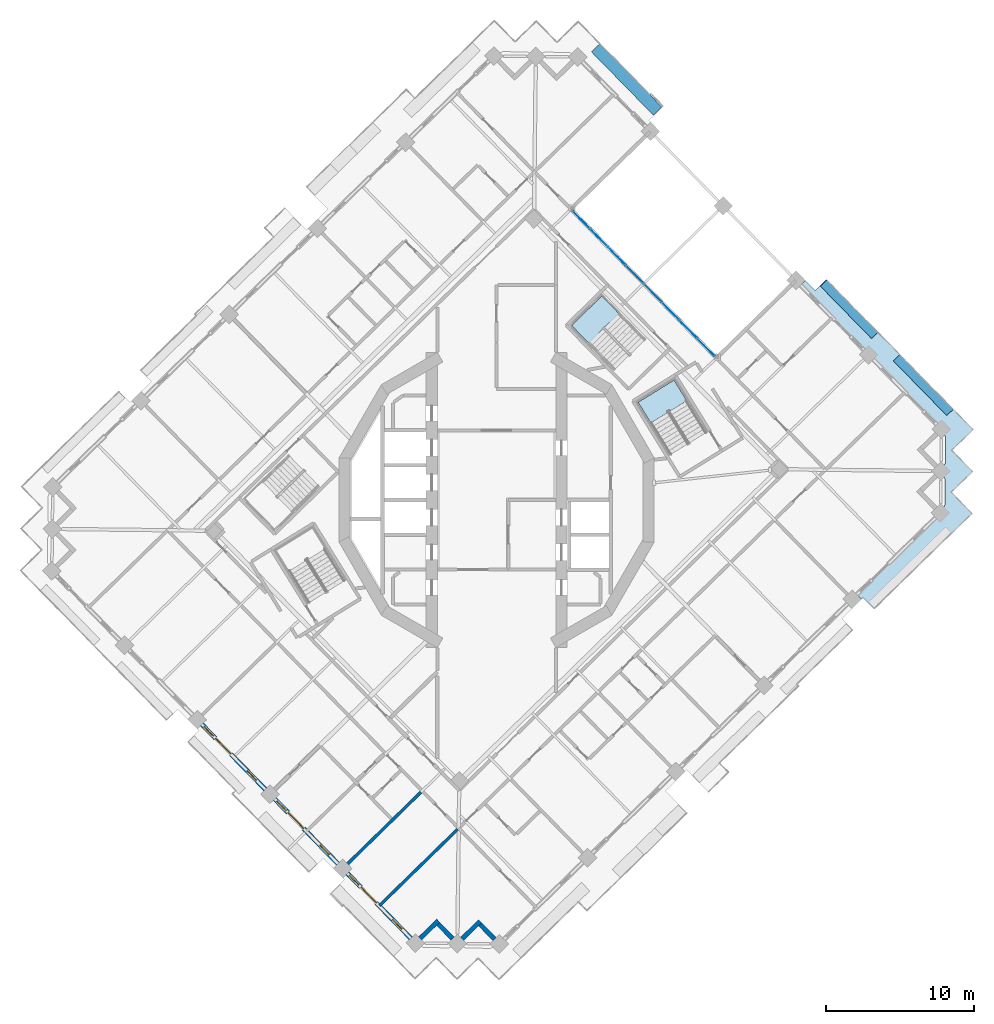
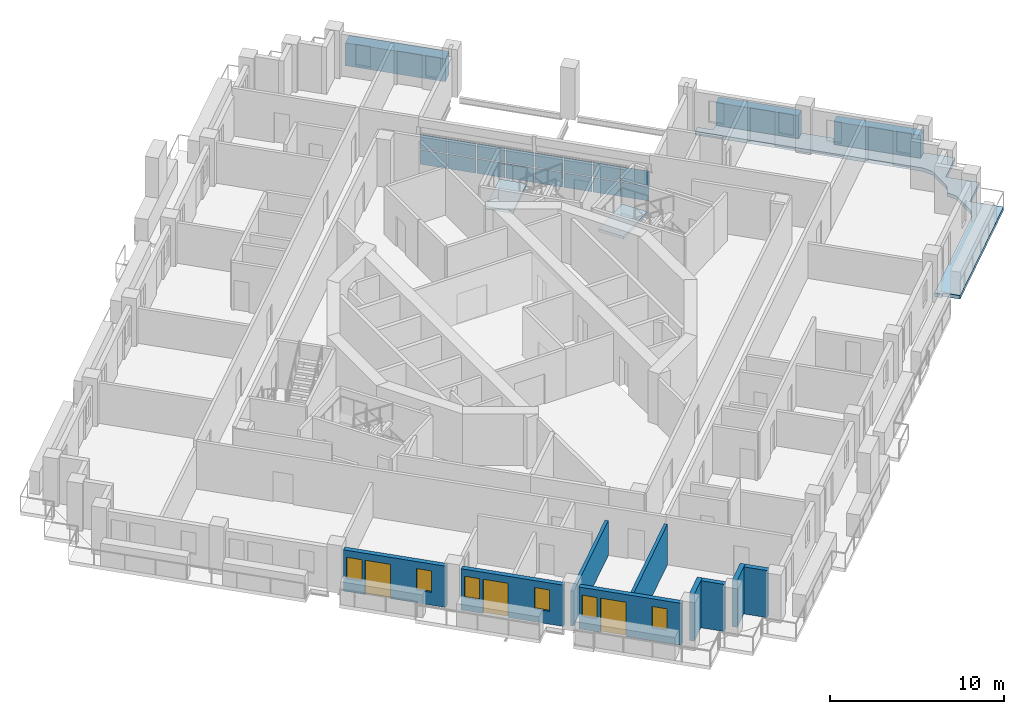
# One storey, part 6 of 20: 19 plates, 9 walls, 6 windows, 3 doors, 3 slabs, 9 openings, 3 elements without a shape of their own.
"""IFC4 building model written with IfcOpenShell, lengths in metres."""

from ifc_helpers import new_model, si_unit, direction, frame, frame_2d, origin, origin_2d, place, context, subcontext, project, spatial, polyline, rectangle, outline, extrude, material, layer, layer_set, type_object, element, fill, aggregate, save


model = new_model("IFC4")

# Units and contexts
model_context = context("Model", 3, precision=1e-05, world=origin(), true_north=direction((0.0, 1.0)))
body_context = subcontext(model_context, "Body", "Model", "MODEL_VIEW")
ifc_project = project(units=[si_unit("LENGTHUNIT", "METRE"), si_unit("AREAUNIT", "SQUARE_METRE"), si_unit("VOLUMEUNIT", "CUBIC_METRE"), si_unit("PLANEANGLEUNIT", "RADIAN"), si_unit("MASSUNIT", "GRAM", prefix="KILO")], contexts=[model_context])

# Site, building, storey
site_placement = place(None, origin())
site = spatial("IfcSite", under=ifc_project, at=site_placement, CompositionType="ELEMENT")
building_placement = place(site_placement, origin())
building = spatial("IfcBuilding", under=site, at=building_placement, Name="Cantera Rosa Tower", CompositionType="ELEMENT")
storey_placement = place(building_placement, frame((0.0, 0.0, 209.0)))
storey = spatial("IfcBuildingStorey", under=building, at=storey_placement, Name="L44", CompositionType="ELEMENT", Elevation=209.0)

# Curtain wall, plates
ifc_material_1 = material(Name="Aluminium frame with clear glass", Category="aluminium")
curtain_wall_type = type_object("IfcCurtainWallType", Name="CW1 TERRACE POCKET GLAZING", PredefinedType="NOTDEFINED", material=ifc_material_1)
curtain_wall_placement = place(storey_placement, origin())
curtain_wall = element("IfcCurtainWall", 1, at=curtain_wall_placement, inside=storey, type_object=curtain_wall_type, Name="CW1 CW1", PredefinedType="NOTDEFINED")
ifc_material_2 = material(Name="Aluminium frame with clear glass", Category="aluminium")
ifc_layer_1 = layer(ifc_material_2, 0.028076171875)
ifc_layer_set_1 = layer_set([ifc_layer_1], Name="CW-PANEL POCKET")
plate_type_1 = type_object("IfcPlateType", Name="CW-PANEL POCKET", PredefinedType="CURTAIN_PANEL", material=ifc_layer_set_1)
plate_1_placement = place(storey_placement, frame((14.127197265625, 10.295654296875, 0.06005859375), z_axis=(0.0, 0.0, 1.0), x_axis=(-0.698831540376, 0.715286291058, 0.0)))
plate_1 = element("IfcPlate", 2, at=plate_1_placement, type_object=plate_type_1, Name="CW1 panel 1.1", PredefinedType="CURTAIN_PANEL", context=body_context, shape_type="SweptSolid", body=[
    extrude(rectangle(XDim=1.6337890625, YDim=0.028076171875, at=origin_2d()), origin(), (0.0, 0.0, 1.0), 1.01611328125),
])
plate_2_placement = place(storey_placement, frame((14.127197265625, 10.295654296875, 1.135986328125), z_axis=(0.0, 0.0, 1.0), x_axis=(-0.698831540376, 0.715286291058, 0.0)))
plate_2 = element("IfcPlate", 3, at=plate_2_placement, type_object=plate_type_1, Name="CW1 panel 1.2", PredefinedType="CURTAIN_PANEL", context=body_context, shape_type="SweptSolid", body=[
    extrude(rectangle(XDim=1.6337890625, YDim=0.028076171875, at=origin_2d()), origin(), (0.0, 0.0, 1.0), 1.01611328125),
])
plate_3_placement = place(storey_placement, frame((12.93310546875, 11.51806640625, 0.06005859375), z_axis=(0.0, 0.0, 1.0), x_axis=(-0.698831540376, 0.715286291058, 0.0)))
plate_3 = element("IfcPlate", 4, at=plate_3_placement, type_object=plate_type_1, Name="CW1 panel 2.1", PredefinedType="CURTAIN_PANEL", context=body_context, shape_type="SweptSolid", body=[
    extrude(rectangle(XDim=1.663818359375, YDim=0.028076171875, at=origin_2d()), origin(), (0.0, 0.0, 1.0), 1.01611328125),
])
plate_4_placement = place(storey_placement, frame((12.93310546875, 11.51806640625, 1.135986328125), z_axis=(0.0, 0.0, 1.0), x_axis=(-0.698831540376, 0.715286291058, 0.0)))
plate_4 = element("IfcPlate", 5, at=plate_4_placement, type_object=plate_type_1, Name="CW1 panel 2.2", PredefinedType="CURTAIN_PANEL", context=body_context, shape_type="SweptSolid", body=[
    extrude(rectangle(XDim=1.663818359375, YDim=0.028076171875, at=origin_2d()), origin(), (0.0, 0.0, 1.0), 1.01611328125),
])
plate_5_placement = place(storey_placement, frame((11.728515625, 12.7509765625, 0.06005859375), z_axis=(0.0, 0.0, 1.0), x_axis=(-0.698831540376, 0.715286291058, 0.0)))
plate_5 = element("IfcPlate", 6, at=plate_5_placement, type_object=plate_type_1, Name="CW1 panel 3.1", PredefinedType="CURTAIN_PANEL", context=body_context, shape_type="SweptSolid", body=[
    extrude(rectangle(XDim=1.663818359375, YDim=0.028076171875, at=origin_2d()), origin(), (0.0, 0.0, 1.0), 1.01611328125),
])
plate_6_placement = place(storey_placement, frame((11.728515625, 12.7509765625, 1.135986328125), z_axis=(0.0, 0.0, 1.0), x_axis=(-0.698831540376, 0.715286291058, 0.0)))
plate_6 = element("IfcPlate", 7, at=plate_6_placement, type_object=plate_type_1, Name="CW1 panel 3.2", PredefinedType="CURTAIN_PANEL", context=body_context, shape_type="SweptSolid", body=[
    extrude(rectangle(XDim=1.663818359375, YDim=0.028076171875, at=origin_2d()), origin(), (0.0, 0.0, 1.0), 1.01611328125),
])
plate_7_placement = place(storey_placement, frame((10.52392578125, 13.98388671875, 0.06005859375), z_axis=(0.0, 0.0, 1.0), x_axis=(-0.698831540376, 0.715286291058, 0.0)))
plate_7 = element("IfcPlate", 8, at=plate_7_placement, type_object=plate_type_1, Name="CW1 panel 4.1", PredefinedType="CURTAIN_PANEL", context=body_context, shape_type="SweptSolid", body=[
    extrude(rectangle(XDim=1.663818359375, YDim=0.028076171875, at=origin_2d()), origin(), (0.0, 0.0, 1.0), 1.01611328125),
])
plate_8_placement = place(storey_placement, frame((10.52392578125, 13.98388671875, 1.135986328125), z_axis=(0.0, 0.0, 1.0), x_axis=(-0.698831540376, 0.715286291058, 0.0)))
plate_8 = element("IfcPlate", 9, at=plate_8_placement, type_object=plate_type_1, Name="CW1 panel 4.2", PredefinedType="CURTAIN_PANEL", context=body_context, shape_type="SweptSolid", body=[
    extrude(rectangle(XDim=1.663818359375, YDim=0.028076171875, at=origin_2d()), origin(), (0.0, 0.0, 1.0), 1.01611328125),
])
plate_9_placement = place(storey_placement, frame((9.3193359375, 15.217041015625, 0.06005859375), z_axis=(0.0, 0.0, 1.0), x_axis=(-0.698831540376, 0.715286291058, 0.0)))
plate_9 = element("IfcPlate", 10, at=plate_9_placement, type_object=plate_type_1, Name="CW1 panel 5.1", PredefinedType="CURTAIN_PANEL", context=body_context, shape_type="SweptSolid", body=[
    extrude(rectangle(XDim=1.663818359375, YDim=0.028076171875, at=origin_2d()), origin(), (0.0, 0.0, 1.0), 1.01611328125),
])
plate_10_placement = place(storey_placement, frame((9.3193359375, 15.217041015625, 1.135986328125), z_axis=(0.0, 0.0, 1.0), x_axis=(-0.698831540376, 0.715286291058, 0.0)))
plate_10 = element("IfcPlate", 11, at=plate_10_placement, type_object=plate_type_1, Name="CW1 panel 5.2", PredefinedType="CURTAIN_PANEL", context=body_context, shape_type="SweptSolid", body=[
    extrude(rectangle(XDim=1.663818359375, YDim=0.028076171875, at=origin_2d()), origin(), (0.0, 0.0, 1.0), 1.01611328125),
])
plate_11_placement = place(storey_placement, frame((8.11474609375, 16.449951171875, 0.06005859375), z_axis=(0.0, 0.0, 1.0), x_axis=(-0.698831540376, 0.715286291058, 0.0)))
plate_11 = element("IfcPlate", 12, at=plate_11_placement, type_object=plate_type_1, Name="CW1 panel 6.1", PredefinedType="CURTAIN_PANEL", context=body_context, shape_type="SweptSolid", body=[
    extrude(rectangle(XDim=1.663818359375, YDim=0.028076171875, at=origin_2d()), origin(), (0.0, 0.0, 1.0), 1.01611328125),
])
plate_12_placement = place(storey_placement, frame((8.11474609375, 16.449951171875, 1.135986328125), z_axis=(0.0, 0.0, 1.0), x_axis=(-0.698831540376, 0.715286291058, 0.0)))
plate_12 = element("IfcPlate", 13, at=plate_12_placement, type_object=plate_type_1, Name="CW1 panel 6.2", PredefinedType="CURTAIN_PANEL", context=body_context, shape_type="SweptSolid", body=[
    extrude(rectangle(XDim=1.663818359375, YDim=0.028076171875, at=origin_2d()), origin(), (0.0, 0.0, 1.0), 1.01611328125),
])
plate_13_placement = place(storey_placement, frame((6.909912109375, 17.682861328125, 0.06005859375), z_axis=(0.0, 0.0, 1.0), x_axis=(-0.698831540376, 0.715286291058, 0.0)))
plate_13 = element("IfcPlate", 14, at=plate_13_placement, type_object=plate_type_1, Name="CW1 panel 7.1", PredefinedType="CURTAIN_PANEL", context=body_context, shape_type="SweptSolid", body=[
    extrude(rectangle(XDim=1.663818359375, YDim=0.028076171875, at=origin_2d()), origin(), (0.0, 0.0, 1.0), 1.01611328125),
])
plate_14_placement = place(storey_placement, frame((6.909912109375, 17.682861328125, 1.135986328125), z_axis=(0.0, 0.0, 1.0), x_axis=(-0.698831540376, 0.715286291058, 0.0)))
plate_14 = element("IfcPlate", 15, at=plate_14_placement, type_object=plate_type_1, Name="CW1 panel 7.2", PredefinedType="CURTAIN_PANEL", context=body_context, shape_type="SweptSolid", body=[
    extrude(rectangle(XDim=1.663818359375, YDim=0.028076171875, at=origin_2d()), origin(), (0.0, 0.0, 1.0), 1.01611328125),
])
plate_15_placement = place(storey_placement, frame((5.7158203125, 18.905029296875, 0.06005859375), z_axis=(0.0, 0.0, 1.0), x_axis=(-0.698831540376, 0.715286291058, 0.0)))
plate_15 = element("IfcPlate", 16, at=plate_15_placement, type_object=plate_type_1, Name="CW1 panel 8.1", PredefinedType="CURTAIN_PANEL", context=body_context, shape_type="SweptSolid", body=[
    extrude(rectangle(XDim=1.6337890625, YDim=0.028076171875, at=origin_2d()), origin(), (0.0, 0.0, 1.0), 1.01611328125),
])
plate_16_placement = place(storey_placement, frame((5.7158203125, 18.905029296875, 1.135986328125), z_axis=(0.0, 0.0, 1.0), x_axis=(-0.698831540376, 0.715286291058, 0.0)))
plate_16 = element("IfcPlate", 17, at=plate_16_placement, type_object=plate_type_1, Name="CW1 panel 8.2", PredefinedType="CURTAIN_PANEL", context=body_context, shape_type="SweptSolid", body=[
    extrude(rectangle(XDim=1.6337890625, YDim=0.028076171875, at=origin_2d()), origin(), (0.0, 0.0, 1.0), 1.01611328125),
])
aggregate(curtain_wall, [plate_1, plate_2, plate_3, plate_4, plate_5, plate_6, plate_7, plate_8, plate_9, plate_10, plate_11, plate_12, plate_13, plate_14, plate_15, plate_16])

# Slab
ifc_material_3 = material(Name="Concrete C35/45", Category="concrete")
ifc_layer_2 = layer(ifc_material_3, 0.25)
ifc_layer_set_2 = layer_set([ifc_layer_2], Name="LOGGIA SLAB 250 C35/45")
slab_type_1 = type_object("IfcSlabType", Name="LOGGIA SLAB 250 C35/45", PredefinedType="FLOOR", material=ifc_layer_set_2)
slab_1_placement = place(storey_placement, frame((0.0, 0.0, -0.25)))
element("IfcSlab", 18, at=slab_1_placement, inside=storey, type_object=slab_type_1, Name="LOGGIA SLAB L44 7", PredefinedType="FLOOR", context=body_context, shape_type="SweptSolid", body=[
    extrude(outline(polyline([(27.218994140625, 9.7744140625), (31.076416015625, 5.825927734375), (32.124755859375, 4.753173828125), (31.0517578125, 3.704833984375), (30.694091796875, 3.35546875), (31.043701171875, 2.997802734375), (32.091796875, 1.9248046875), (31.018798828125, 0.876708984375), (30.661376953125, 0.527099609375), (31.0107421875, 0.16943359375), (32.05908203125, -0.9033203125), (30.986083984375, -1.95166015625), (26.10791015625, -6.7177734375), (25.464111328125, -7.3466796875), (24.730224609375, -6.595703125), (24.622802734375, -6.700439453125), (24.30859375, -6.37841796875), (29.937744140625, -0.878662109375), (30.2080078125, -0.386962890625), (30.220947265625, -0.3603515625), (30.231201171875, -0.332763671875), (30.23876953125, -0.30419921875), (30.243408203125, -0.275146484375), (30.2451171875, -0.245849609375), (30.26318359375, 1.309814453125), (30.26220703125, 1.339111328125), (30.25830078125, 1.368408203125), (30.25146484375, 1.39697265625), (30.24169921875, 1.4248046875), (30.2294921875, 1.451416015625), (29.970703125, 1.949462890625), (30.240966796875, 2.44140625), (30.25390625, 2.4677734375), (30.26416015625, 2.495361328125), (30.271484375, 2.52392578125), (30.2763671875, 2.552978515625), (30.278076171875, 2.58251953125), (30.296142578125, 4.137939453125), (30.295166015625, 4.167236328125), (30.291015625, 4.196533203125), (30.2841796875, 4.22509765625), (30.274658203125, 4.2529296875), (30.262451171875, 4.27978515625), (30.003662109375, 4.777587890625), (20.506591796875, 14.49853515625), (20.828369140625, 14.81298828125), (21.4921875, 14.13330078125), (22.243408203125, 14.8671875), (22.313232421875, 14.795654296875), (25.12255859375, 11.920166015625), (27.218994140625, 9.7744140625)])), origin(), (0.0, 0.0, 1.0), 0.25),
])

# Plates
ifc_material_4 = material(Name="Cantera stone planter with soil", Category="masonry")
plate_type_2 = type_object("IfcPlateType", Name="PLANTER 600", PredefinedType="USERDEFINED", material=ifc_material_4)
plate_17_placement = place(storey_placement, frame((28.77587890625, 7.75146484375, 0.0), z_axis=(0.0, 0.0, 1.0), x_axis=(-0.698831540364, 0.71528629107, 0.0)))
element("IfcPlate", 19, at=plate_17_placement, inside=storey, type_object=plate_type_2, Name="PLANTER L44-01", ObjectType="PLANTER", PredefinedType="USERDEFINED", context=body_context, shape_type="SweptSolid", body=[
    extrude(rectangle(XDim=5.169921875, YDim=0.60009765625, at=origin_2d()), origin(), (0.0, 0.0, 1.0), 1.60009765625),
])
plate_18_placement = place(storey_placement, frame((23.78271484375, 12.8623046875, 0.0), z_axis=(0.0, 0.0, 1.0), x_axis=(-0.698831540364, 0.71528629107, 0.0)))
element("IfcPlate", 20, at=plate_18_placement, inside=storey, type_object=plate_type_2, Name="PLANTER L44-02", ObjectType="PLANTER", PredefinedType="USERDEFINED", context=body_context, shape_type="SweptSolid", body=[
    extrude(rectangle(XDim=4.919921875, YDim=0.60009765625, at=origin_2d()), origin(), (0.0, 0.0, 1.0), 1.60009765625),
])
ifc_material_5 = material(Name="Cantera stone planter with soil", Category="masonry")
plate_type_3 = type_object("IfcPlateType", Name="PLANTER 800", PredefinedType="USERDEFINED", material=ifc_material_5)
plate_19_placement = place(storey_placement, frame((8.77001953125, 28.37158203125, 0.0), z_axis=(0.0, 0.0, 1.0), x_axis=(-0.698831540364, 0.71528629107, 0.0)))
element("IfcPlate", 21, at=plate_19_placement, inside=storey, type_object=plate_type_3, Name="PLANTER L44-05", ObjectType="PLANTER", PredefinedType="USERDEFINED", context=body_context, shape_type="SweptSolid", body=[
    extrude(rectangle(XDim=5.969970703125, YDim=0.800048828125, at=origin_2d()), origin(), (0.0, 0.0, 1.0), 1.60009765625),
])

# Stair, slab
ifc_material_6 = material(Name="Concrete C35/45", Category="concrete")
stair_type = type_object("IfcStairType", Name="EXIT STAIR 1350 DOGLEG", PredefinedType="HALF_TURN_STAIR", material=ifc_material_6)
stair_1_placement = place(storey_placement, origin())
stair_1 = element("IfcStair", 22, at=stair_1_placement, inside=storey, type_object=stair_type, Name="L44 ST-41", PredefinedType="HALF_TURN_STAIR")
ifc_material_7 = material(Name="Concrete C35/45", Category="concrete")
ifc_layer_3 = layer(ifc_material_7, 0.199951171875)
ifc_layer_set_3 = layer_set([ifc_layer_3], Name="STAIR LANDING 200")
slab_type_2 = type_object("IfcSlabType", Name="STAIR LANDING 200", PredefinedType="LANDING", material=ifc_layer_set_3)
slab_2_placement = place(storey_placement, frame((0.0, 0.0, 1.60009765625)))
slab_2 = element("IfcSlab", 23, at=slab_2_placement, type_object=slab_type_2, Name="ST-41 landing 1", PredefinedType="LANDING", context=body_context, shape_type="SweptSolid", body=[
    extrude(outline(polyline([(12.8310546875, 6.691162109375), (11.96923828125, 8.088623046875), (9.54345703125, 6.592529296875), (10.405517578125, 5.19482421875), (12.8310546875, 6.691162109375)])), origin(), (0.0, 0.0, 1.0), 0.199951171875),
])
aggregate(stair_1, [slab_2])

stair_2_placement = place(storey_placement, origin())
stair_2 = element("IfcStair", 24, at=stair_2_placement, inside=storey, type_object=stair_type, Name="L44 ST-42", PredefinedType="HALF_TURN_STAIR")
slab_3_placement = place(storey_placement, frame((0.0, 0.0, 1.60009765625)))
slab_3 = element("IfcSlab", 25, at=slab_3_placement, type_object=slab_type_2, Name="ST-42 landing 1", PredefinedType="LANDING", context=body_context, shape_type="SweptSolid", body=[
    extrude(outline(polyline([(8.244873046875, 12.58837890625), (7.097412109375, 13.762939453125), (5.058837890625, 11.771240234375), (6.206298828125, 10.5966796875), (8.244873046875, 12.58837890625)])), origin(), (0.0, 0.0, 1.0), 0.199951171875),
])
aggregate(stair_2, [slab_3])

# Walls
ifc_material_8 = material(Name="Hollow clay masonry with cantera stone cladding", Category="masonry")
ifc_layer_4 = layer(ifc_material_8, 0.300048828125)
ifc_layer_set_4 = layer_set([ifc_layer_4], Name="EW-LOGGIA 300")
wall_type_1 = type_object("IfcWallType", Name="EW-LOGGIA 300", PredefinedType="SOLIDWALL", material=ifc_layer_set_4)
wall_1_placement = place(storey_placement, frame((-5.15283203125, -29.56982421875, 0.0), z_axis=(0.0, 0.0, 1.0), x_axis=(0.715316077832, 0.69880105094, 0.0)))
element("IfcWall", 26, at=wall_1_placement, inside=storey, type_object=wall_type_1, Name="EN-L44-W19a", PredefinedType="SOLIDWALL", context=body_context, shape_type="SweptSolid", body=[
    extrude(rectangle(XDim=1.699951171875, YDim=0.300048828125, at=frame_2d((0.85009765625, 0.0))), origin(), (0.0, 0.0, 1.0), 3.300048828125),
])
wall_2_placement = place(storey_placement, frame((-3.939208984375, -28.593994140625, 0.0), z_axis=(0.0, 0.0, 1.0), x_axis=(0.698861982187, -0.715256548278, 0.0)))
element("IfcWall", 27, at=wall_2_placement, inside=storey, type_object=wall_type_1, Name="EN-L44-W19b", PredefinedType="SOLIDWALL", context=body_context, shape_type="SweptSolid", body=[
    extrude(rectangle(XDim=1.39990234375, YDim=0.300048828125, at=frame_2d((0.699951171875, 0.0))), origin(), (0.0, 0.0, 1.0), 3.300048828125),
])
wall_3_placement = place(storey_placement, frame((-2.324462890625, -29.602783203125, 0.0), z_axis=(0.0, 0.0, 1.0), x_axis=(0.715316077832, 0.69880105094, 0.0)))
element("IfcWall", 28, at=wall_3_placement, inside=storey, type_object=wall_type_1, Name="EN-L44-W20a", PredefinedType="SOLIDWALL", context=body_context, shape_type="SweptSolid", body=[
    extrude(rectangle(XDim=1.699951171875, YDim=0.300048828125, at=frame_2d((0.85009765625, 0.0))), origin(), (0.0, 0.0, 1.0), 3.300048828125),
])
wall_4_placement = place(storey_placement, frame((-1.111083984375, -28.626953125, 0.0), z_axis=(0.0, 0.0, 1.0), x_axis=(0.698951192766, -0.71516937164, 0.0)))
element("IfcWall", 29, at=wall_4_placement, inside=storey, type_object=wall_type_1, Name="EN-L44-W20b", PredefinedType="SOLIDWALL", context=body_context, shape_type="SweptSolid", body=[
    extrude(rectangle(XDim=1.39990234375, YDim=0.300048828125, at=frame_2d((0.699951171875, 0.0))), origin(), (0.0, 0.0, 1.0), 3.300048828125),
])

# Wall, openings, windows, door
ifc_material_9 = material(Name="Hollow clay masonry with cantera stone cladding", Category="masonry")
ifc_layer_5 = layer(ifc_material_9, 0.300048828125)
ifc_layer_set_5 = layer_set([ifc_layer_5], Name="EW-LOGGIA 300 H2890")
wall_type_2 = type_object("IfcWallType", Name="EW-LOGGIA 300 H2890", PredefinedType="SOLIDWALL", material=ifc_layer_set_5)
wall_5_placement = place(storey_placement, frame((-19.87744140625, -15.142333984375, 0.0), z_axis=(0.0, 0.0, 1.0), x_axis=(0.698841120217, -0.71527693147, 0.0)))
wall_5 = element("IfcWall", 30, at=wall_5_placement, inside=storey, type_object=wall_type_2, Name="EN-L44-W16", PredefinedType="SOLIDWALL", context=body_context, shape_type="SweptSolid", body=[
    extrude(rectangle(XDim=6.119873046875, YDim=0.300048828125, at=frame_2d((3.06005859375, 0.0))), origin(), (0.0, 0.0, 1.0), 2.889892578125),
])
opening_1_placement = place(wall_5_placement, frame((0.199951171875, 0.0, 0.89990234375)))
opening_1 = element("IfcOpeningElement", 31, at=opening_1_placement, cuts=wall_5, Name="Opening L44-W28", PredefinedType="OPENING", context=body_context, shape_type="SweptSolid", body=[
    extrude(rectangle(XDim=0.89990234375, YDim=1.5, at=frame_2d((0.449951171875, 0.75))), frame((0.0, 0.159912109375, 0.0), z_axis=(0.0, -1.0, 0.0), x_axis=(1.0, 0.0, 0.0)), (0.0, 0.0, 1.0), 0.320068359375),
])
opening_2_placement = place(wall_5_placement, frame((1.300048828125, 0.0, 0.0)))
opening_2 = element("IfcOpeningElement", 32, at=opening_2_placement, cuts=wall_5, Name="Opening L44-TD29", PredefinedType="OPENING", context=body_context, shape_type="SweptSolid", body=[
    extrude(rectangle(XDim=1.5, YDim=2.39990234375, at=frame_2d((0.75, 1.199951171875))), frame((0.0, 0.159912109375, 0.0), z_axis=(0.0, -1.0, 0.0), x_axis=(1.0, 0.0, 0.0)), (0.0, 0.0, 1.0), 0.320068359375),
])
opening_3_placement = place(wall_5_placement, frame((4.364990234375, 0.0, 0.89990234375)))
opening_3 = element("IfcOpeningElement", 33, at=opening_3_placement, cuts=wall_5, Name="Opening L44-W30", PredefinedType="OPENING", context=body_context, shape_type="SweptSolid", body=[
    extrude(rectangle(XDim=0.89990234375, YDim=1.5, at=frame_2d((0.449951171875, 0.75))), frame((0.0, 0.159912109375, 0.0), z_axis=(0.0, -1.0, 0.0), x_axis=(1.0, 0.0, 0.0)), (0.0, 0.0, 1.0), 0.320068359375),
])
ifc_material_10 = material(Name="Aluminium frame with clear glass", Category="aluminium")
window_type = type_object("IfcWindowType", Name="Residential window 900x1500", PartitioningType="SINGLE_PANEL", PredefinedType="WINDOW", material=ifc_material_10)
window_1_placement = place(opening_1_placement, origin())
window_1 = element("IfcWindow", 34, at=window_1_placement, inside=storey, type_object=window_type, Name="WINDOW L44-W28", OverallHeight=1.5, OverallWidth=0.89990234375, PartitioningType="SINGLE_PANEL", PredefinedType="WINDOW", context=body_context, shape_type="SweptSolid", body=[
    extrude(rectangle(XDim=0.89990234375, YDim=1.5, at=frame_2d((0.449951171875, 0.75))), frame((0.0, 0.030029296875, 0.0), z_axis=(0.0, -1.0, 0.0), x_axis=(1.0, 0.0, 0.0)), (0.0, 0.0, 1.0), 0.06005859375),
])
fill(opening_1, window_1)
window_2_placement = place(opening_3_placement, origin())
window_2 = element("IfcWindow", 35, at=window_2_placement, inside=storey, type_object=window_type, Name="WINDOW L44-W30", OverallHeight=1.5, OverallWidth=0.89990234375, PartitioningType="SINGLE_PANEL", PredefinedType="WINDOW", context=body_context, shape_type="SweptSolid", body=[
    extrude(rectangle(XDim=0.89990234375, YDim=1.5, at=frame_2d((0.449951171875, 0.75))), frame((0.0, 0.030029296875, 0.0), z_axis=(0.0, -1.0, 0.0), x_axis=(1.0, 0.0, 0.0)), (0.0, 0.0, 1.0), 0.06005859375),
])
fill(opening_3, window_2)
ifc_material_11 = material(Name="Aluminium frame with clear glass", Category="aluminium")
door_type = type_object("IfcDoorType", Name="TD-R 1500x2400", OperationType="NOTDEFINED", PredefinedType="DOOR", material=ifc_material_11)
door_1_placement = place(opening_2_placement, origin())
door_1 = element("IfcDoor", 36, at=door_1_placement, inside=storey, type_object=door_type, Name="LOGGIA DOOR L44-TD29", OperationType="SLIDING_TO_LEFT", OverallHeight=2.39990234375, OverallWidth=1.5, PredefinedType="DOOR", context=body_context, shape_type="SweptSolid", body=[
    extrude(rectangle(XDim=1.5, YDim=2.39990234375, at=frame_2d((0.75, 1.199951171875))), frame((0.0, 0.02490234375, 0.0), z_axis=(0.0, -1.0, 0.0), x_axis=(1.0, 0.0, 0.0)), (0.0, 0.0, 1.0), 0.050048828125),
])
fill(opening_2, door_1)

wall_6_placement = place(storey_placement, frame((-14.9716796875, -20.16357421875, 0.0), z_axis=(0.0, 0.0, 1.0), x_axis=(0.698841120217, -0.71527693147, 0.0)))
wall_6 = element("IfcWall", 37, at=wall_6_placement, inside=storey, type_object=wall_type_2, Name="EN-L44-W17", PredefinedType="SOLIDWALL", context=body_context, shape_type="SweptSolid", body=[
    extrude(rectangle(XDim=6.119873046875, YDim=0.300048828125, at=frame_2d((3.06005859375, 0.0))), origin(), (0.0, 0.0, 1.0), 2.889892578125),
])
opening_4_placement = place(wall_6_placement, frame((0.199951171875, 0.0, 0.89990234375)))
opening_4 = element("IfcOpeningElement", 38, at=opening_4_placement, cuts=wall_6, Name="Opening L44-W31", PredefinedType="OPENING", context=body_context, shape_type="SweptSolid", body=[
    extrude(rectangle(XDim=0.89990234375, YDim=1.5, at=frame_2d((0.449951171875, 0.75))), frame((0.0, 0.159912109375, 0.0), z_axis=(0.0, -1.0, 0.0), x_axis=(1.0, 0.0, 0.0)), (0.0, 0.0, 1.0), 0.320068359375),
])
opening_5_placement = place(wall_6_placement, frame((1.300048828125, 0.0, 0.0)))
opening_5 = element("IfcOpeningElement", 39, at=opening_5_placement, cuts=wall_6, Name="Opening L44-TD32", PredefinedType="OPENING", context=body_context, shape_type="SweptSolid", body=[
    extrude(rectangle(XDim=1.5, YDim=2.39990234375, at=frame_2d((0.75, 1.199951171875))), frame((0.0, 0.159912109375, 0.0), z_axis=(0.0, -1.0, 0.0), x_axis=(1.0, 0.0, 0.0)), (0.0, 0.0, 1.0), 0.320068359375),
])
opening_6_placement = place(wall_6_placement, frame((4.364990234375, 0.0, 0.89990234375)))
opening_6 = element("IfcOpeningElement", 40, at=opening_6_placement, cuts=wall_6, Name="Opening L44-W33", PredefinedType="OPENING", context=body_context, shape_type="SweptSolid", body=[
    extrude(rectangle(XDim=0.89990234375, YDim=1.5, at=frame_2d((0.449951171875, 0.75))), frame((0.0, 0.159912109375, 0.0), z_axis=(0.0, -1.0, 0.0), x_axis=(1.0, 0.0, 0.0)), (0.0, 0.0, 1.0), 0.320068359375),
])
window_3_placement = place(opening_4_placement, origin())
window_3 = element("IfcWindow", 41, at=window_3_placement, inside=storey, type_object=window_type, Name="WINDOW L44-W31", OverallHeight=1.5, OverallWidth=0.89990234375, PartitioningType="SINGLE_PANEL", PredefinedType="WINDOW", context=body_context, shape_type="SweptSolid", body=[
    extrude(rectangle(XDim=0.89990234375, YDim=1.5, at=frame_2d((0.449951171875, 0.75))), frame((0.0, 0.030029296875, 0.0), z_axis=(0.0, -1.0, 0.0), x_axis=(1.0, 0.0, 0.0)), (0.0, 0.0, 1.0), 0.06005859375),
])
fill(opening_4, window_3)
window_4_placement = place(opening_6_placement, origin())
window_4 = element("IfcWindow", 42, at=window_4_placement, inside=storey, type_object=window_type, Name="WINDOW L44-W33", OverallHeight=1.5, OverallWidth=0.89990234375, PartitioningType="SINGLE_PANEL", PredefinedType="WINDOW", context=body_context, shape_type="SweptSolid", body=[
    extrude(rectangle(XDim=0.89990234375, YDim=1.5, at=frame_2d((0.449951171875, 0.75))), frame((0.0, 0.030029296875, 0.0), z_axis=(0.0, -1.0, 0.0), x_axis=(1.0, 0.0, 0.0)), (0.0, 0.0, 1.0), 0.06005859375),
])
fill(opening_6, window_4)
door_2_placement = place(opening_5_placement, origin())
door_2 = element("IfcDoor", 43, at=door_2_placement, inside=storey, type_object=door_type, Name="LOGGIA DOOR L44-TD32", OperationType="SLIDING_TO_LEFT", OverallHeight=2.39990234375, OverallWidth=1.5, PredefinedType="DOOR", context=body_context, shape_type="SweptSolid", body=[
    extrude(rectangle(XDim=1.5, YDim=2.39990234375, at=frame_2d((0.75, 1.199951171875))), frame((0.0, 0.02490234375, 0.0), z_axis=(0.0, -1.0, 0.0), x_axis=(1.0, 0.0, 0.0)), (0.0, 0.0, 1.0), 0.050048828125),
])
fill(opening_5, door_2)

ifc_material_12 = material(Name="Hollow clay masonry with cantera stone cladding", Category="masonry")
ifc_layer_6 = layer(ifc_material_12, 0.300048828125)
ifc_layer_set_6 = layer_set([ifc_layer_6], Name="EW-LOGGIA 300 H2940")
wall_type_3 = type_object("IfcWallType", Name="EW-LOGGIA 300 H2940", PredefinedType="SOLIDWALL", material=ifc_layer_set_6)
wall_7_placement = place(storey_placement, frame((-10.06591796875, -25.184814453125, 0.0), z_axis=(0.0, 0.0, 1.0), x_axis=(0.69882117953, -0.715296413412, 0.0)))
wall_7 = element("IfcWall", 44, at=wall_7_placement, inside=storey, type_object=wall_type_3, Name="EN-L44-W18", PredefinedType="SOLIDWALL", context=body_context, shape_type="SweptSolid", body=[
    extrude(rectangle(XDim=6.1201171875, YDim=0.300048828125, at=frame_2d((3.06005859375, 0.0))), origin(), (0.0, 0.0, 1.0), 2.93994140625),
])
opening_7_placement = place(wall_7_placement, frame((0.199951171875, 0.0, 0.89990234375)))
opening_7 = element("IfcOpeningElement", 45, at=opening_7_placement, cuts=wall_7, Name="Opening L44-W34", PredefinedType="OPENING", context=body_context, shape_type="SweptSolid", body=[
    extrude(rectangle(XDim=0.89990234375, YDim=1.5, at=frame_2d((0.449951171875, 0.75))), frame((0.0, 0.159912109375, 0.0), z_axis=(0.0, -1.0, 0.0), x_axis=(1.0, 0.0, 0.0)), (0.0, 0.0, 1.0), 0.320068359375),
])
opening_8_placement = place(wall_7_placement, frame((1.300048828125, 0.0, 0.0)))
opening_8 = element("IfcOpeningElement", 46, at=opening_8_placement, cuts=wall_7, Name="Opening L44-TD35", PredefinedType="OPENING", context=body_context, shape_type="SweptSolid", body=[
    extrude(rectangle(XDim=1.5, YDim=2.39990234375, at=frame_2d((0.75, 1.199951171875))), frame((0.0, 0.159912109375, 0.0), z_axis=(0.0, -1.0, 0.0), x_axis=(1.0, 0.0, 0.0)), (0.0, 0.0, 1.0), 0.320068359375),
])
opening_9_placement = place(wall_7_placement, frame((4.364990234375, 0.0, 0.89990234375)))
opening_9 = element("IfcOpeningElement", 47, at=opening_9_placement, cuts=wall_7, Name="Opening L44-W36", PredefinedType="OPENING", context=body_context, shape_type="SweptSolid", body=[
    extrude(rectangle(XDim=0.89990234375, YDim=1.5, at=frame_2d((0.449951171875, 0.75))), frame((0.0, 0.159912109375, 0.0), z_axis=(0.0, -1.0, 0.0), x_axis=(1.0, 0.0, 0.0)), (0.0, 0.0, 1.0), 0.320068359375),
])
window_5_placement = place(opening_7_placement, origin())
window_5 = element("IfcWindow", 48, at=window_5_placement, inside=storey, type_object=window_type, Name="WINDOW L44-W34", OverallHeight=1.5, OverallWidth=0.89990234375, PartitioningType="SINGLE_PANEL", PredefinedType="WINDOW", context=body_context, shape_type="SweptSolid", body=[
    extrude(rectangle(XDim=0.89990234375, YDim=1.5, at=frame_2d((0.449951171875, 0.75))), frame((0.0, 0.030029296875, 0.0), z_axis=(0.0, -1.0, 0.0), x_axis=(1.0, 0.0, 0.0)), (0.0, 0.0, 1.0), 0.06005859375),
])
fill(opening_7, window_5)
window_6_placement = place(opening_9_placement, origin())
window_6 = element("IfcWindow", 49, at=window_6_placement, inside=storey, type_object=window_type, Name="WINDOW L44-W36", OverallHeight=1.5, OverallWidth=0.89990234375, PartitioningType="SINGLE_PANEL", PredefinedType="WINDOW", context=body_context, shape_type="SweptSolid", body=[
    extrude(rectangle(XDim=0.89990234375, YDim=1.5, at=frame_2d((0.449951171875, 0.75))), frame((0.0, 0.030029296875, 0.0), z_axis=(0.0, -1.0, 0.0), x_axis=(1.0, 0.0, 0.0)), (0.0, 0.0, 1.0), 0.06005859375),
])
fill(opening_9, window_6)
door_3_placement = place(opening_8_placement, origin())
door_3 = element("IfcDoor", 50, at=door_3_placement, inside=storey, type_object=door_type, Name="LOGGIA DOOR L44-TD35", OperationType="SLIDING_TO_LEFT", OverallHeight=2.39990234375, OverallWidth=1.5, PredefinedType="DOOR", context=body_context, shape_type="SweptSolid", body=[
    extrude(rectangle(XDim=1.5, YDim=2.39990234375, at=frame_2d((0.75, 1.199951171875))), frame((0.0, 0.02490234375, 0.0), z_axis=(0.0, -1.0, 0.0), x_axis=(1.0, 0.0, 0.0)), (0.0, 0.0, 1.0), 0.050048828125),
])
fill(opening_8, door_3)

# Walls
ifc_material_13 = material(Name="Gypsum board partition")
ifc_layer_7 = layer(ifc_material_13, 0.199951171875)
ifc_layer_set_7 = layer_set([ifc_layer_7], Name="PARTY WALL 200 H2450")
wall_type_4 = type_object("IfcWallType", Name="PARTY WALL 200 H2450", PredefinedType="PARTITIONING", material=ifc_layer_set_7)
wall_8_placement = place(storey_placement, frame((-5.1015625, -19.70556640625, 0.0), z_axis=(0.0, 0.0, 1.0), x_axis=(-0.715280026246, -0.698837952642, 0.0)))
element("IfcWall", 51, at=wall_8_placement, inside=storey, type_object=wall_type_4, Name="PARTY WALL L44-051", PredefinedType="PARTITIONING", context=body_context, shape_type="SweptSolid", body=[
    extrude(rectangle(XDim=7.35009765625, YDim=0.199951171875, at=frame_2d((3.675048828125, 0.0))), origin(), (0.0, 0.0, 1.0), 2.449951171875),
])
ifc_material_14 = material(Name="Gypsum board partition")
ifc_layer_8 = layer(ifc_material_14, 0.199951171875)
ifc_layer_set_8 = layer_set([ifc_layer_8], Name="PARTY WALL 200 H2850")
wall_type_5 = type_object("IfcWallType", Name="PARTY WALL 200 H2850", PredefinedType="PARTITIONING", material=ifc_layer_set_8)
wall_9_placement = place(storey_placement, frame((-7.899169921875, -27.35986328125, 0.0), z_axis=(0.0, 0.0, 1.0), x_axis=(0.715290686101, 0.698827041819, 0.0)))
element("IfcWall", 52, at=wall_9_placement, inside=storey, type_object=wall_type_5, Name="PARTY WALL L44-035", PredefinedType="PARTITIONING", context=body_context, shape_type="SweptSolid", body=[
    extrude(rectangle(XDim=7.3701171875, YDim=0.199951171875, at=frame_2d((3.68505859375, 0.0))), origin(), (0.0, 0.0, 1.0), 2.85009765625),
])

save(model, "model.ifc")
